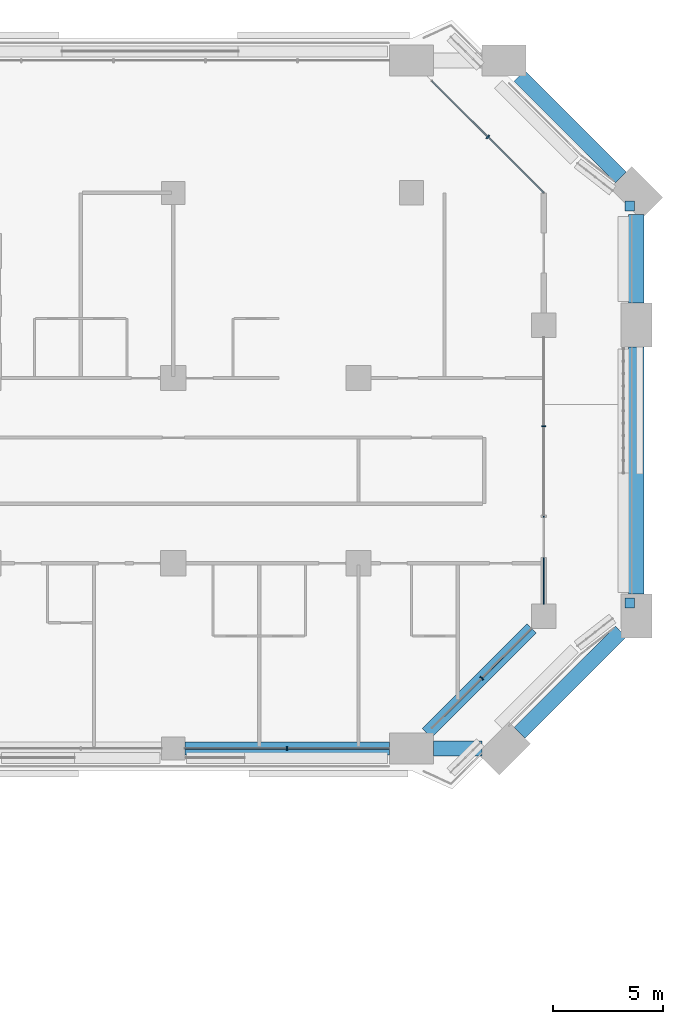
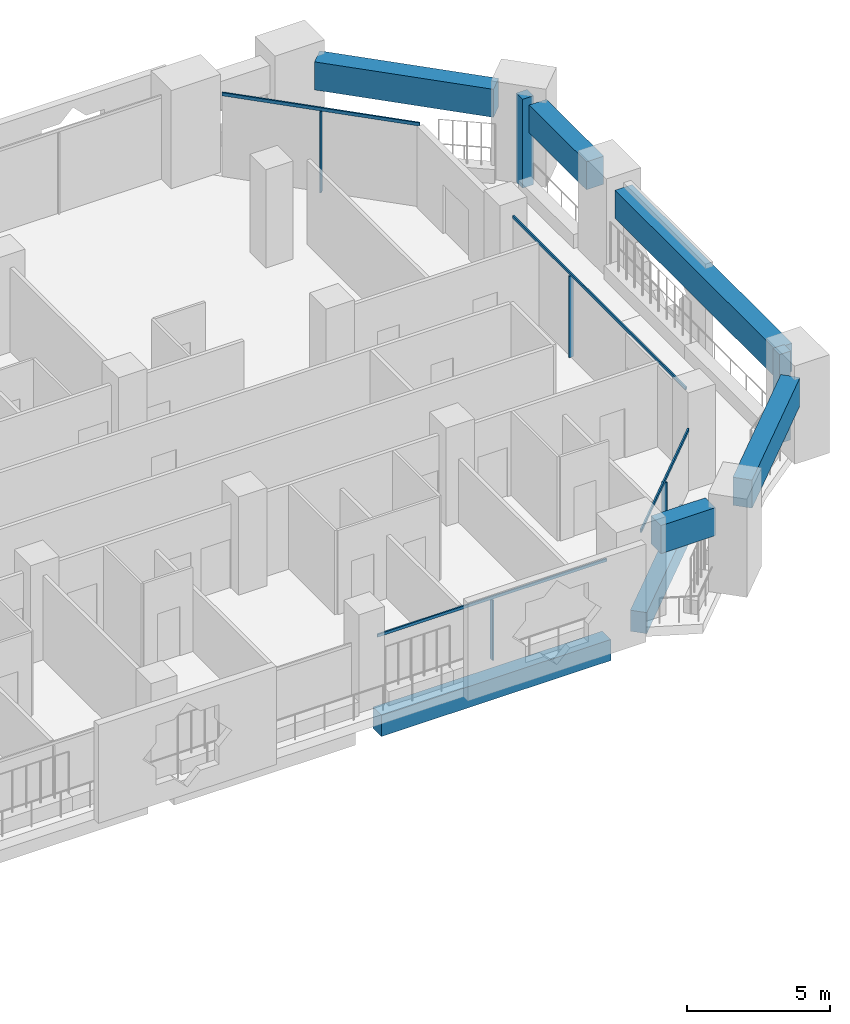
# One storey, part 7 of 27: 10 members, 7 beams, 5 elements without a shape of their own.
"""IFC4 building model written with IfcOpenShell, lengths in metres."""

import ifcopenshell
import ifcopenshell.guid

model = None  # the IFC model being written
_history = None  # IfcOwnerHistory: only IFC2X3 demands one
_inside = {}  # id of a spatial element -> (the spatial element, [elements in it])
_under = {}  # id of a project, library or spatial element -> (it, [spatial elements below it])
_declared = {}  # id of a project -> (the project, [libraries it declares])
_typed = {}  # id of a type object -> (the type object, [elements of that type])
_made_of = {}  # id of a material, layer set ... -> (it, [elements and type objects made of it])


def new_model(schema):
    """Start an empty IFC model of exactly this schema.

    Asked for "IFC4X3", IfcOpenShell would pick the latest addendum, in which some entities
    have other attributes; the version numbers below select the first issue.
    IFC2X3 requires an IfcOwnerHistory on every rooted entity: one is made here for all.
    """
    global model, _history
    if schema == "IFC4X3":
        model = ifcopenshell.file(schema_version=(4, 3, 0, 0))
    else:
        model = ifcopenshell.file(schema=schema)
    _inside.clear()
    _under.clear()
    _declared.clear()
    _typed.clear()
    _made_of.clear()
    _history = None
    if model.schema == "IFC2X3":
        org = make("IfcOrganization", Name="unknown")
        user = make(
            "IfcPersonAndOrganization",
            ThePerson=make("IfcPerson", FamilyName="unknown"),
            TheOrganization=org,
        )
        app = make(
            "IfcApplication",
            ApplicationDeveloper=org,
            Version="unknown",
            ApplicationFullName="unknown",
            ApplicationIdentifier="unknown",
        )
        _history = make(
            "IfcOwnerHistory",
            OwningUser=user,
            OwningApplication=app,
            ChangeAction="ADDED",
            CreationDate=0,
        )
    return model


def make(cls, **values):
    """One entity of the class cls with the attributes given. An attribute that is None is left unset."""
    return model.create_entity(
        cls, **{name: value for name, value in values.items() if value is not None}
    )


def rooted(cls, **values):
    """An entity with a GlobalId (a new one), such as an element, a storey or a relation."""
    return make(cls, GlobalId=ifcopenshell.guid.new(), OwnerHistory=_history, **values)


def si_unit(unit_type, name, prefix=None):
    """IfcSIUnit, for example si_unit("LENGTHUNIT", "METRE", prefix="MILLI")."""
    return make("IfcSIUnit", UnitType=unit_type, Prefix=prefix, Name=name)


def assignment(units):
    """IfcUnitAssignment: the units of a project."""
    return None if units is None else make("IfcUnitAssignment", Units=units)


def point(xyz):
    """IfcCartesianPoint."""
    return None if xyz is None else make("IfcCartesianPoint", Coordinates=xyz)


def direction(xyz):
    """IfcDirection."""
    return None if xyz is None else make("IfcDirection", DirectionRatios=xyz)


def frame(location, z_axis=None, x_axis=None):
    """IfcAxis2Placement3D, a coordinate frame: its origin and axes. An axis left out is left unset."""
    return make(
        "IfcAxis2Placement3D",
        Location=point(location),
        Axis=direction(z_axis),
        RefDirection=direction(x_axis),
    )


def frame_2d(location, x_axis=None):
    """IfcAxis2Placement2D, a coordinate frame in the plane: its origin and x axis."""
    return make(
        "IfcAxis2Placement2D", Location=point(location), RefDirection=direction(x_axis)
    )


def origin():
    """The frame at (0, 0, 0) with its axes left unset."""
    return frame((0.0, 0.0, 0.0))


def origin_2d():
    """The frame at (0, 0) in the plane with its x axis left unset."""
    return frame_2d((0.0, 0.0))


def place(relative_to, where):
    """IfcLocalPlacement: puts the frame where relative to a parent placement (None: the world)."""
    return make(
        "IfcLocalPlacement", PlacementRelTo=relative_to, RelativePlacement=where
    )


def context(
    kind, dimensions, precision=None, world=None, true_north=None, identifier=None
):
    """IfcGeometricRepresentationContext, for example the 3D "Model" context."""
    return make(
        "IfcGeometricRepresentationContext",
        ContextIdentifier=identifier,
        ContextType=kind,
        CoordinateSpaceDimension=dimensions,
        Precision=precision,
        WorldCoordinateSystem=world,
        TrueNorth=true_north,
    )


def subcontext(parent, identifier, kind, view, scale=None):
    """IfcGeometricRepresentationSubContext, for example "Body" below "Model"."""
    return make(
        "IfcGeometricRepresentationSubContext",
        ContextIdentifier=identifier,
        ContextType=kind,
        ParentContext=parent,
        TargetScale=scale,
        TargetView=view,
    )


def project(units=None, contexts=None):
    """IfcProject with its units and contexts."""
    return rooted(
        "IfcProject",
        Name="project",
        RepresentationContexts=contexts,
        UnitsInContext=assignment(units),
    )


def spatial(cls, under=None, at=None, **own):
    """A site, building, storey or space (cls), placed at a placement, below another one or the project."""
    s = rooted(cls, ObjectPlacement=at, **own)
    if under is not None:
        _under.setdefault(under.id(), (under, []))[1].append(s)
    return s


def profile(cls, at=None, kind="AREA", **sizes):
    """A parametric profile (cls). Its sizes go by their IFC names, for example OverallWidth=200.0."""
    return make(cls, ProfileType=kind, Position=at, **sizes)


def rectangle(**sizes):
    """IfcRectangleProfileDef."""
    return profile("IfcRectangleProfileDef", **sizes)


def extrude(swept, where, along, depth):
    """IfcExtrudedAreaSolid: the profile swept, set in the frame where, extruded along a direction by depth."""
    return make(
        "IfcExtrudedAreaSolid",
        SweptArea=swept,
        Position=where,
        ExtrudedDirection=direction(along),
        Depth=depth,
    )


def shape(context_of_items, identifier, shape_type, items):
    """IfcShapeRepresentation: the items that make up one representation, for example the "Body"."""
    return make(
        "IfcShapeRepresentation",
        ContextOfItems=context_of_items,
        RepresentationIdentifier=identifier,
        RepresentationType=shape_type,
        Items=items,
    )


def material(Name=None, Category=None):
    """IfcMaterial."""
    return make("IfcMaterial", Name=Name, Category=Category)


def layer(
    of_material, thickness, ventilated=None, Name=None, Category=None, Priority=None
):
    """IfcMaterialLayer: one layer of a wall or slab, of a material (None: an air gap)."""
    return make(
        "IfcMaterialLayer",
        Material=of_material,
        LayerThickness=thickness,
        IsVentilated=ventilated,
        Name=Name,
        Category=Category,
        Priority=Priority,
    )


def layer_set(layers, Name=None):
    """IfcMaterialLayerSet."""
    return make("IfcMaterialLayerSet", MaterialLayers=layers, LayerSetName=Name)


def material_profile(
    of_material, cross_section, Name=None, Category=None, Priority=None
):
    """IfcMaterialProfile: a cross section and its material."""
    return make(
        "IfcMaterialProfile",
        Name=Name,
        Material=of_material,
        Profile=cross_section,
        Priority=Priority,
        Category=Category,
    )


def profile_set(profiles, Name=None, composite=None):
    """IfcMaterialProfileSet."""
    return make(
        "IfcMaterialProfileSet",
        Name=Name,
        MaterialProfiles=profiles,
        CompositeProfile=composite,
    )


def made_of(thing, what):
    """Note that an element or type object is made of a material, layer set ...; save() writes the relation."""
    if what is not None:
        _made_of.setdefault(what.id(), (what, []))[1].append(thing)
    return thing


def type_object(cls, material=None, **own):
    """A type object (cls), such as IfcWallType, which elements share."""
    return made_of(rooted(cls, **own), material)


def element(
    cls,
    number,
    at=None,
    inside=None,
    cuts=None,
    type_object=None,
    material=None,
    context=None,
    identifier="Body",
    shape_type=None,
    held_by="IfcProductDefinitionShape",
    body=None,
    shapes=None,
    **own,
):
    """One element of the class cls, such as IfcWall. Its Tag is "e" and its number.

    at: its placement. inside: the storey or other place that contains it. cuts: it is an
    opening in that element (IfcRelVoidsElement). A single representation is given by context,
    identifier, shape_type and body (its items); several are given by shapes. held_by: the class
    of the entity that holds the representations. save() writes the other relations.
    """
    e = rooted(cls, Tag="e%d" % number, ObjectPlacement=at, **own)
    if body is not None:
        shapes = [shape(context, identifier, shape_type, body)]
    if shapes is not None:
        e.Representation = make(held_by, Representations=shapes)
    if inside is not None:
        _inside.setdefault(inside.id(), (inside, []))[1].append(e)
    if cuts is not None:
        rooted(
            "IfcRelVoidsElement", RelatingBuildingElement=cuts, RelatedOpeningElement=e
        )
    if type_object is not None:
        _typed.setdefault(type_object.id(), (type_object, []))[1].append(e)
    return made_of(e, material)


def aggregate(whole, parts):
    """IfcRelAggregates: a whole, such as a stair, and the parts it consists of."""
    return rooted("IfcRelAggregates", RelatingObject=whole, RelatedObjects=parts)


def save(model, path):
    """Write the relations noted so far, then the file.

    IfcRelAggregates (storeys below a building ...), IfcRelContainedInSpatialStructure (elements
    in a storey), IfcRelDefinesByType, IfcRelAssociatesMaterial and IfcRelDeclares: one each for
    every whole, place, type object, material and project.
    """
    for whole, parts in _under.values():
        aggregate(whole, parts)
    for where, things in _inside.values():
        rooted(
            "IfcRelContainedInSpatialStructure",
            RelatedElements=things,
            RelatingStructure=where,
        )
    for kind, things in _typed.values():
        rooted("IfcRelDefinesByType", RelatedObjects=things, RelatingType=kind)
    for what, things in _made_of.values():
        rooted("IfcRelAssociatesMaterial", RelatedObjects=things, RelatingMaterial=what)
    for by, libraries in _declared.values():
        rooted("IfcRelDeclares", RelatingContext=by, RelatedDefinitions=libraries)
    model.write(path)


model = new_model("IFC4")

# Units and contexts
model_context = context("Model", 3, precision=1e-05, world=origin(), true_north=direction((0.0, 1.0)))
body_context = subcontext(model_context, "Body", "Model", "MODEL_VIEW")
ifc_project = project(units=[si_unit("LENGTHUNIT", "METRE"), si_unit("AREAUNIT", "SQUARE_METRE"), si_unit("VOLUMEUNIT", "CUBIC_METRE"), si_unit("PLANEANGLEUNIT", "RADIAN"), si_unit("MASSUNIT", "GRAM", prefix="KILO")], contexts=[model_context])

# Site, building, storey
site_placement = place(None, origin())
site = spatial("IfcSite", under=ifc_project, at=site_placement, CompositionType="ELEMENT")
building_placement = place(site_placement, origin())
building = spatial("IfcBuilding", under=site, at=building_placement, Name="Kawkab Arch Medical Tower", CompositionType="ELEMENT")
storey_placement = place(building_placement, frame((0.0, 0.0, 115.60009765625)))
storey = spatial("IfcBuildingStorey", under=building, at=storey_placement, Name="L26", CompositionType="ELEMENT", Elevation=115.60009765625)

# Curtain wall, member
ifc_material_1 = material(Name="Bronze anodised aluminium curtain wall frame", Category="aluminium")
ifc_layer_1 = layer(ifc_material_1, 0.159912109375)
ifc_layer_set_1 = layer_set([ifc_layer_1], Name="Bronze anodised aluminium curtain wall frame")
curtain_wall_type_1 = type_object("IfcCurtainWallType", Name="CW1 ward curtain wall", PredefinedType="NOTDEFINED", material=ifc_layer_set_1)
placement = place(storey_placement, origin())
curtain_wall_1 = element("IfcCurtainWall", 1, at=placement, inside=storey, type_object=curtain_wall_type_1, Name="CW1 Ward curtain wall R07", PredefinedType="NOTDEFINED")
ifc_material_2 = material(Name="Bronze anodised aluminium curtain wall frame", Category="aluminium")
ifc_material_profile_1 = material_profile(ifc_material_2, rectangle(XDim=0.179931640625, YDim=0.06005859375, at=origin_2d()), Name="AL 60x180")
ifc_profile_set_1 = profile_set([ifc_material_profile_1], Name="Bronze anodised aluminium curtain wall frame")
member_type_1 = type_object("IfcMemberType", Name="CW1 mullion 60 x 180", PredefinedType="MULLION", material=ifc_profile_set_1)
member_1_placement = place(storey_placement, frame((63.96240234375, -25.199951171875, 0.0), z_axis=(0.0, 0.0, 1.0), x_axis=(0.0, 1.0, 0.0)))
member_1 = element("IfcMember", 2, at=member_1_placement, type_object=member_type_1, Name="CW1 mullion 4.1", PredefinedType="MULLION", context=body_context, shape_type="SweptSolid", body=[
    extrude(rectangle(XDim=0.179931640625, YDim=0.06005859375, at=origin_2d()), origin(), (0.0, 0.0, 1.0), 2.579833984375),
])

curtain_wall_2 = element("IfcCurtainWall", 3, at=placement, inside=storey, type_object=curtain_wall_type_1, Name="CW1 Ward curtain wall R09", PredefinedType="NOTDEFINED")
member_2_placement = place(storey_placement, frame((75.60009765625, -10.583251953125, 0.0), z_axis=(0.0, 0.0, 1.0), x_axis=(-1.0, 0.0, 0.0)))
member_2 = element("IfcMember", 4, at=member_2_placement, type_object=member_type_1, Name="CW1 mullion 1.2", PredefinedType="MULLION", context=body_context, shape_type="SweptSolid", body=[
    extrude(rectangle(XDim=0.179931640625, YDim=0.06005859375, at=origin_2d()), origin(), (0.0, 0.0, 1.0), 3.47998046875),
])

# Member
ifc_material_3 = material(Name="Bronze anodised aluminium curtain wall frame", Category="aluminium")
ifc_material_profile_2 = material_profile(ifc_material_3, rectangle(XDim=0.06005859375, YDim=0.1201171875, at=origin_2d()), Name="AL 60x120")
ifc_profile_set_2 = profile_set([ifc_material_profile_2], Name="Bronze anodised aluminium curtain wall frame")
member_type_2 = type_object("IfcMemberType", Name="CW1 transom 120 x 60", PredefinedType="USERDEFINED", material=ifc_profile_set_2)
member_3_placement = place(storey_placement, frame((59.324951171875, -25.199951171875, 2.639892578125), z_axis=(1.0, 0.0, 0.0), x_axis=(0.0, 1.0, 0.0)))
member_3 = element("IfcMember", 5, at=member_3_placement, type_object=member_type_2, Name="CW1 transom 4", ObjectType="TRANSOM", PredefinedType="USERDEFINED", context=body_context, shape_type="SweptSolid", body=[
    extrude(rectangle(XDim=0.06005859375, YDim=0.1201171875, at=origin_2d()), origin(), (0.0, 0.0, 1.0), 9.275146484375),
])

aggregate(curtain_wall_1, [member_3, member_1])

member_4_placement = place(storey_placement, frame((75.60009765625, -18.64990234375, 3.539794921875), z_axis=(0.0, 1.0, 0.0), x_axis=(-1.0, 0.0, 0.0)))
member_4 = element("IfcMember", 6, at=member_4_placement, type_object=member_type_2, Name="CW1 transom 1", ObjectType="TRANSOM", PredefinedType="USERDEFINED", context=body_context, shape_type="SweptSolid", body=[
    extrude(rectangle(XDim=0.06005859375, YDim=0.1201171875, at=origin_2d()), origin(), (0.0, 0.0, 1.0), 12.099853515625),
])

aggregate(curtain_wall_2, [member_4, member_2])

# Curtain wall, member
ifc_material_4 = material(Name="Bronze anodised aluminium curtain wall frame", Category="aluminium")
ifc_layer_2 = layer(ifc_material_4, 0.159912109375)
ifc_layer_set_2 = layer_set([ifc_layer_2], Name="Bronze anodised aluminium curtain wall frame")
curtain_wall_type_2 = type_object("IfcCurtainWallType", Name="CW2 chamfer curtain wall", PredefinedType="NOTDEFINED", material=ifc_layer_set_2)
curtain_wall_3 = element("IfcCurtainWall", 7, at=placement, inside=storey, type_object=curtain_wall_type_2, Name="CW2 Chamfer curtain wall R08", PredefinedType="NOTDEFINED")
ifc_material_5 = material(Name="Bronze anodised aluminium curtain wall frame", Category="aluminium")
ifc_material_profile_3 = material_profile(ifc_material_5, rectangle(XDim=0.199951171875, YDim=0.06005859375, at=origin_2d()), Name="AL 60x200")
ifc_profile_set_3 = profile_set([ifc_material_profile_3], Name="Bronze anodised aluminium curtain wall frame")
member_type_3 = type_object("IfcMemberType", Name="CW2 mullion 60 x 200", PredefinedType="MULLION", material=ifc_profile_set_3)
member_5_placement = place(storey_placement, frame((72.790283203125, -22.009765625, 0.0), z_axis=(0.0, 0.0, 1.0), x_axis=(-0.707106781187, 0.707106781187, 0.0)))
member_5 = element("IfcMember", 8, at=member_5_placement, type_object=member_type_3, Name="CW2 mullion 1.1", PredefinedType="MULLION", context=body_context, shape_type="SweptSolid", body=[
    extrude(rectangle(XDim=0.199951171875, YDim=0.06005859375, at=origin_2d()), origin(), (0.0, 0.0, 1.0), 2.559814453125),
])

curtain_wall_4 = element("IfcCurtainWall", 9, at=placement, inside=storey, type_object=curtain_wall_type_2, Name="CW2 Chamfer curtain wall R10", PredefinedType="NOTDEFINED")
member_6_placement = place(storey_placement, frame((73.065185546875, 2.534912109375, 0.0), z_axis=(0.0, 0.0, 1.0), x_axis=(-0.707106781187, -0.707106781187, 0.0)))
member_6 = element("IfcMember", 10, at=member_6_placement, type_object=member_type_3, Name="CW2 mullion 1.1", PredefinedType="MULLION", context=body_context, shape_type="SweptSolid", body=[
    extrude(rectangle(XDim=0.199951171875, YDim=0.06005859375, at=origin_2d()), origin(), (0.0, 0.0, 1.0), 3.4599609375),
])

# Member
ifc_material_6 = material(Name="Bronze anodised aluminium curtain wall frame", Category="aluminium")
ifc_material_profile_4 = material_profile(ifc_material_6, rectangle(XDim=0.06005859375, YDim=0.139892578125, at=origin_2d()), Name="AL 60x140")
ifc_profile_set_4 = profile_set([ifc_material_profile_4], Name="Bronze anodised aluminium curtain wall frame")
member_type_4 = type_object("IfcMemberType", Name="CW2 transom 140 x 60", PredefinedType="USERDEFINED", material=ifc_profile_set_4)
member_7_placement = place(storey_placement, frame((70.5302734375, -24.269775390625, 2.6298828125), z_axis=(0.707106781187, 0.707106781187, 0.0), x_axis=(-0.707106781187, 0.707106781187, 0.0)))
member_7 = element("IfcMember", 11, at=member_7_placement, type_object=member_type_4, Name="CW2 transom 1", ObjectType="TRANSOM", PredefinedType="USERDEFINED", context=body_context, shape_type="SweptSolid", body=[
    extrude(rectangle(XDim=0.06005859375, YDim=0.139892578125, at=origin_2d()), origin(), (0.0, 0.0, 1.0), 6.391845703125),
])

aggregate(curtain_wall_3, [member_7, member_5])

member_8_placement = place(storey_placement, frame((75.60009765625, 0.0, 3.52978515625), z_axis=(-0.707123806981, 0.707089754982, 0.0), x_axis=(-0.707089754982, -0.707123806981, 0.0)))
member_8 = element("IfcMember", 12, at=member_8_placement, type_object=member_type_4, Name="CW2 transom 1", ObjectType="TRANSOM", PredefinedType="USERDEFINED", context=body_context, shape_type="SweptSolid", body=[
    extrude(rectangle(XDim=0.06005859375, YDim=0.139892578125, at=origin_2d()), origin(), (0.0, 0.0, 1.0), 7.169677734375),
])

aggregate(curtain_wall_4, [member_8, member_6])

# Curtain wall, members
ifc_material_7 = material(Name="Bronze anodised aluminium climber frame, planted", Category="aluminium")
ifc_layer_3 = layer(ifc_material_7, 0.449951171875)
ifc_layer_set_3 = layer_set([ifc_layer_3], Name="Bronze anodised aluminium climber frame, planted")
curtain_wall_type_3 = type_object("IfcCurtainWallType", Name="Planted climber frame", PredefinedType="NOTDEFINED", material=ifc_layer_set_3)
curtain_wall_5 = element("IfcCurtainWall", 13, at=placement, inside=storey, type_object=curtain_wall_type_3, Name="Planted climber frame L26", PredefinedType="NOTDEFINED")
ifc_material_8 = material(Name="Bronze anodised aluminium climber frame, planted", Category="aluminium")
ifc_material_profile_5 = material_profile(ifc_material_8, rectangle(XDim=0.449951171875, YDim=0.449951171875, at=origin_2d()), Name="Post 450x450")
ifc_profile_set_5 = profile_set([ifc_material_profile_5], Name="Bronze anodised aluminium climber frame, planted")
member_type_5 = type_object("IfcMemberType", Name="Planted climber post 450 x 450", PredefinedType="MULLION", material=ifc_profile_set_5)
member_9_placement = place(storey_placement, frame((79.5, -0.596923828125, 0.0), z_axis=(0.0, 0.0, 1.0), x_axis=(1.0, 0.0, 0.0)))
member_9 = element("IfcMember", 14, at=member_9_placement, type_object=member_type_5, Name="Planted climber post L26.LOG-01-01.3", PredefinedType="MULLION", context=body_context, shape_type="SweptSolid", body=[
    extrude(rectangle(XDim=0.449951171875, YDim=0.449951171875, at=origin_2d()), origin(), (0.0, 0.0, 1.0), 3.7998046875),
])
member_10_placement = place(storey_placement, frame((79.5, -18.60302734375, 0.0), z_axis=(0.0, 0.0, 1.0), x_axis=(1.0, 0.0, 0.0)))
member_10 = element("IfcMember", 15, at=member_10_placement, type_object=member_type_5, Name="Planted climber post L26.LOG-01-01.4", PredefinedType="MULLION", context=body_context, shape_type="SweptSolid", body=[
    extrude(rectangle(XDim=0.449951171875, YDim=0.449951171875, at=origin_2d()), origin(), (0.0, 0.0, 1.0), 3.7998046875),
])
aggregate(curtain_wall_5, [member_9, member_10])

# Beams
ifc_material_9 = material(Name="Concrete C55/67", Category="concrete")
ifc_material_profile_6 = material_profile(ifc_material_9, rectangle(XDim=0.60009765625, YDim=0.89990234375, at=origin_2d()), Name="RC 600x900")
ifc_profile_set_6 = profile_set([ifc_material_profile_6], Name="Concrete C55/67")
beam_type_1 = type_object("IfcBeamType", Name="RC 600x900 beam C55/67", PredefinedType="BEAM", material=ifc_profile_set_6)
beam_1_placement = place(storey_placement, frame((75.050048828125, -19.75, -1.050048828125), z_axis=(-0.707106781187, -0.707106781187, 0.0), x_axis=(0.707106781187, -0.707106781187, 0.0)))
element("IfcBeam", 16, at=beam_1_placement, inside=storey, type_object=beam_type_1, Name="Overhang edge beam L26-01", PredefinedType="BEAM", context=body_context, shape_type="SweptSolid", body=[
    extrude(rectangle(XDim=0.60009765625, YDim=0.89990234375, at=origin_2d()), origin(), (0.0, 0.0, 1.0), 6.717529296875),
])
beam_2_placement = place(storey_placement, frame((68.60009765625, -25.199951171875, -1.050048828125), z_axis=(-1.0, 0.0, 0.0), x_axis=(0.0, -1.0, 0.0)))
element("IfcBeam", 17, at=beam_2_placement, inside=storey, type_object=beam_type_1, Name="Overhang edge beam L26-02", PredefinedType="BEAM", context=body_context, shape_type="SweptSolid", body=[
    extrude(rectangle(XDim=0.60009765625, YDim=0.89990234375, at=origin_2d()), origin(), (0.0, 0.0, 1.0), 9.275146484375),
])
ifc_material_10 = material(Name="Concrete C55/67", Category="concrete")
ifc_material_profile_7 = material_profile(ifc_material_10, rectangle(XDim=0.699951171875, YDim=1.199951171875, at=origin_2d()), Name="RC 700x1200")
ifc_profile_set_7 = profile_set([ifc_material_profile_7], Name="Concrete C55/67")
beam_type_2 = type_object("IfcBeamType", Name="RC 700x1200 beam C55/67", PredefinedType="BEAM", material=ifc_profile_set_7)
beam_3_placement = place(storey_placement, frame((74.5, 5.300048828125, 3.0), z_axis=(0.707106781187, -0.707106781187, 0.0), x_axis=(0.707106781187, 0.707106781187, 0.0)))
element("IfcBeam", 18, at=beam_3_placement, inside=storey, type_object=beam_type_2, Name="Terrace frame beam TF-L25-1-L27-02", PredefinedType="BEAM", context=body_context, shape_type="SweptSolid", body=[
    extrude(rectangle(XDim=0.699951171875, YDim=1.199951171875, at=origin_2d()), origin(), (0.0, 0.0, 1.0), 6.49560546875),
])
beam_4_placement = place(storey_placement, frame((79.800048828125, -0.989990234375, 3.0), z_axis=(0.0, -1.0, 0.0), x_axis=(1.0, 0.0, 0.0)))
element("IfcBeam", 19, at=beam_4_placement, inside=storey, type_object=beam_type_2, Name="Terrace frame beam TF-L25-1-L27-03", PredefinedType="BEAM", context=body_context, shape_type="SweptSolid", body=[
    extrude(rectangle(XDim=0.699951171875, YDim=1.199951171875, at=origin_2d()), origin(), (0.0, 0.0, 1.0), 4.010009765625),
])
beam_5_placement = place(storey_placement, frame((79.800048828125, -7.0, 3.0), z_axis=(0.0, -1.0, 0.0), x_axis=(1.0, 0.0, 0.0)))
element("IfcBeam", 20, at=beam_5_placement, inside=storey, type_object=beam_type_2, Name="Terrace frame beam TF-L25-1-L27-04", PredefinedType="BEAM", context=body_context, shape_type="SweptSolid", body=[
    extrude(rectangle(XDim=0.699951171875, YDim=1.199951171875, at=origin_2d()), origin(), (0.0, 0.0, 1.0), 11.199951171875),
])
beam_6_placement = place(storey_placement, frame((79.10009765625, -19.89990234375, 3.0), z_axis=(-0.707106781187, -0.707106781187, 0.0), x_axis=(0.707106781187, -0.707106781187, 0.0)))
element("IfcBeam", 21, at=beam_6_placement, inside=storey, type_object=beam_type_2, Name="Terrace frame beam TF-L25-1-L27-05", PredefinedType="BEAM", context=body_context, shape_type="SweptSolid", body=[
    extrude(rectangle(XDim=0.699951171875, YDim=1.199951171875, at=origin_2d()), origin(), (0.0, 0.0, 1.0), 6.49560546875),
])
beam_7_placement = place(storey_placement, frame((72.81005859375, -25.199951171875, 3.0), z_axis=(-1.0, 0.0, 0.0), x_axis=(0.0, -1.0, 0.0)))
element("IfcBeam", 22, at=beam_7_placement, inside=storey, type_object=beam_type_2, Name="Terrace frame beam TF-L25-1-L27-06", PredefinedType="BEAM", context=body_context, shape_type="SweptSolid", body=[
    extrude(rectangle(XDim=0.699951171875, YDim=1.199951171875, at=origin_2d()), origin(), (0.0, 0.0, 1.0), 2.2099609375),
])

save(model, "model.ifc")
